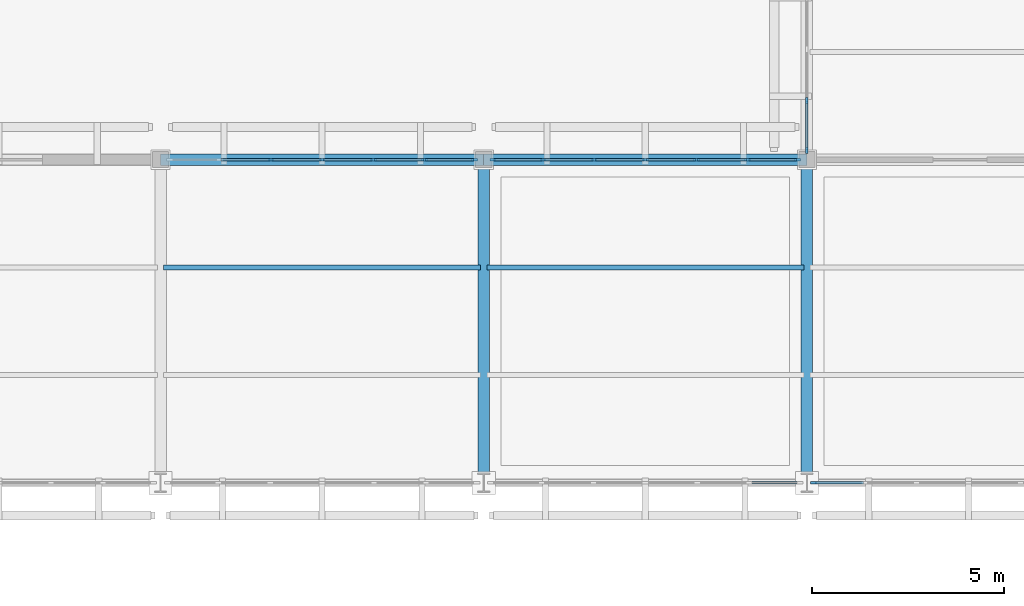
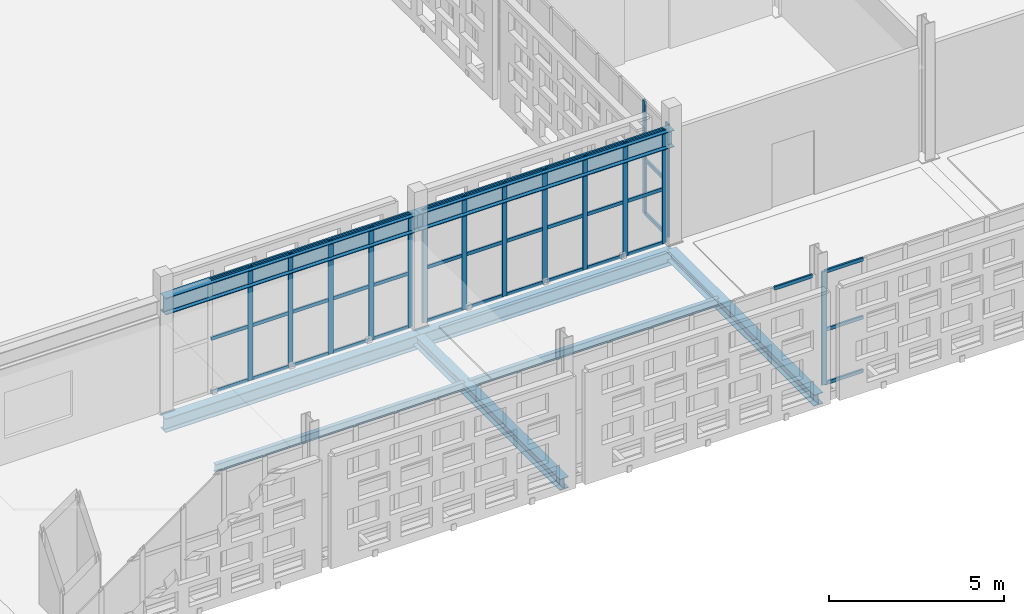
# One storey, part 57 of 203: 54 members, 8 beams, 5 elements without a shape of their own.
"""IFC4 building model written with IfcOpenShell, lengths in metres."""

from ifc_helpers import new_model, si_unit, direction, frame, origin, origin_2d, place, context, subcontext, project, spatial, rectangle, i_section, extrude, material, layer, layer_set, material_profile, profile_set, type_object, element, aggregate, save


model = new_model("IFC4")

# Units and contexts
model_context = context("Model", 3, precision=1e-05, world=origin(), true_north=direction((0.0, 1.0)))
body_context = subcontext(model_context, "Body", "Model", "MODEL_VIEW")
ifc_project = project(units=[si_unit("LENGTHUNIT", "METRE"), si_unit("AREAUNIT", "SQUARE_METRE"), si_unit("VOLUMEUNIT", "CUBIC_METRE"), si_unit("PLANEANGLEUNIT", "RADIAN"), si_unit("MASSUNIT", "GRAM", prefix="KILO")], contexts=[model_context])

# Site, building, storey
site_placement = place(None, origin())
site = spatial("IfcSite", under=ifc_project, at=site_placement, CompositionType="ELEMENT")
building_placement = place(site_placement, origin())
building = spatial("IfcBuilding", under=site, at=building_placement, Name="Varnapada Polytechnic", CompositionType="ELEMENT")
storey_placement = place(building_placement, frame((0.0, 0.0, 4.800048828125)))
storey = spatial("IfcBuildingStorey", under=building, at=storey_placement, Name="L01", CompositionType="ELEMENT", Elevation=4.800048828125)

# Beams
ifc_material_1 = material(Name="Steel S355", Category="steel")
ifc_material_profile_1 = material_profile(ifc_material_1, i_section(OverallWidth=0.135009765625, OverallDepth=0.27001953125, WebThickness=0.006591796875, FlangeThickness=0.01025390625, FilletRadius=0.014892578125, at=origin_2d()), Name="IPE 270")
ifc_profile_set_1 = profile_set([ifc_material_profile_1], Name="Steel S355")
beam_type_1 = type_object("IfcBeamType", Name="Mezzanine heavy steel joist SJ-03 (IPE 270)", PredefinedType="JOIST", material=ifc_profile_set_1)
for number, where, z_axis, x_axis, name in (
    (1, (109.280029296875, 89.60009765625, -0.39501953125), (1.0, 0.0, 0.0), (0.0, 1.0, 0.0), "L01 floor joist 14/11.2"),
    (2, (117.679931640625, 89.60009765625, -0.39501953125), (1.0, 0.0, 0.0), (0.0, 1.0, 0.0), "L01 floor joist 15/11.2"),
):
    element("IfcBeam", number, at=place(storey_placement, frame(where, z_axis=z_axis, x_axis=x_axis)), inside=storey, type_object=beam_type_1, Name=name, PredefinedType="JOIST", context=body_context, shape_type="SweptSolid", body=[
        extrude(i_section(OverallWidth=0.135009765625, OverallDepth=0.27001953125, WebThickness=0.006591796875, FlangeThickness=0.01025390625, FilletRadius=0.014892578125, at=origin_2d()), origin(), (0.0, 0.0, 1.0), 8.239990234375),
    ])

# Curtain wall, members
ifc_material_2 = material(Name="Double low-E laminated glass", Category="glass")
ifc_layer_1 = layer(ifc_material_2, 0.159912109375)
ifc_layer_set_1 = layer_set([ifc_layer_1], Name="Double low-E laminated glass")
curtain_wall_type_1 = type_object("IfcCurtainWallType", Name="Curtain Wall CW-02", PredefinedType="NOTDEFINED", material=ifc_layer_set_1)
curtain_wall_1_placement = place(storey_placement, origin())
curtain_wall_1 = element("IfcCurtainWall", 3, at=curtain_wall_1_placement, inside=storey, type_object=curtain_wall_type_1, Name="L01 unitised curtain wall CW-02 (86)", PredefinedType="NOTDEFINED")
ifc_material_3 = material(Name="Anodised aluminium", Category="aluminium")
ifc_material_profile_2 = material_profile(ifc_material_3, rectangle(XDim=0.06005859375, YDim=0.159912109375, at=origin_2d()), Name="ALU M60x160")
ifc_profile_set_2 = profile_set([ifc_material_profile_2], Name="Anodised aluminium")
member_type_1 = type_object("IfcMemberType", Name="Mullion M-01", PredefinedType="MULLION", material=ifc_profile_set_2)
member_1_placement = place(storey_placement, frame((112.070068359375, 92.39990234375, 0.0), z_axis=(0.0, 0.0, 1.0), x_axis=(0.0, 1.0, 0.0)))
member_1 = element("IfcMember", 4, at=member_1_placement, type_object=member_type_1, Name="CW-02 mullion 3", PredefinedType="MULLION", context=body_context, shape_type="SweptSolid", body=[
    extrude(rectangle(XDim=0.06005859375, YDim=0.159912109375, at=origin_2d()), origin(), (0.0, 0.0, 1.0), 3.9599609375),
])
member_2_placement = place(storey_placement, frame((113.39990234375, 92.39990234375, 0.0), z_axis=(0.0, 0.0, 1.0), x_axis=(0.0, 1.0, 0.0)))
member_2 = element("IfcMember", 5, at=member_2_placement, type_object=member_type_1, Name="CW-02 mullion 4", PredefinedType="MULLION", context=body_context, shape_type="SweptSolid", body=[
    extrude(rectangle(XDim=0.06005859375, YDim=0.159912109375, at=origin_2d()), origin(), (0.0, 0.0, 1.0), 3.9599609375),
])
member_3_placement = place(storey_placement, frame((114.72998046875, 92.39990234375, 0.0), z_axis=(0.0, 0.0, 1.0), x_axis=(0.0, 1.0, 0.0)))
member_3 = element("IfcMember", 6, at=member_3_placement, type_object=member_type_1, Name="CW-02 mullion 5", PredefinedType="MULLION", context=body_context, shape_type="SweptSolid", body=[
    extrude(rectangle(XDim=0.06005859375, YDim=0.159912109375, at=origin_2d()), origin(), (0.0, 0.0, 1.0), 3.9599609375),
])
member_4_placement = place(storey_placement, frame((116.06005859375, 92.39990234375, 0.0), z_axis=(0.0, 0.0, 1.0), x_axis=(0.0, 1.0, 0.0)))
member_4 = element("IfcMember", 7, at=member_4_placement, type_object=member_type_1, Name="CW-02 mullion 6", PredefinedType="MULLION", context=body_context, shape_type="SweptSolid", body=[
    extrude(rectangle(XDim=0.06005859375, YDim=0.159912109375, at=origin_2d()), origin(), (0.0, 0.0, 1.0), 3.9599609375),
])
member_5_placement = place(storey_placement, frame((117.360107421875, 92.39990234375, 0.0), z_axis=(0.0, 0.0, 1.0), x_axis=(0.0, 1.0, 0.0)))
member_5 = element("IfcMember", 8, at=member_5_placement, type_object=member_type_1, Name="CW-02 mullion 7", PredefinedType="MULLION", context=body_context, shape_type="SweptSolid", body=[
    extrude(rectangle(XDim=0.06005859375, YDim=0.159912109375, at=origin_2d()), origin(), (0.0, 0.0, 1.0), 3.9599609375),
])

curtain_wall_2_placement = place(storey_placement, origin())
curtain_wall_2 = element("IfcCurtainWall", 9, at=curtain_wall_2_placement, inside=storey, type_object=curtain_wall_type_1, Name="L01 unitised curtain wall CW-02 (91)", PredefinedType="NOTDEFINED")
member_6_placement = place(storey_placement, frame((117.840087890625, 92.39990234375, 0.0), z_axis=(0.0, 0.0, 1.0), x_axis=(0.0, 1.0, 0.0)))
member_6 = element("IfcMember", 10, at=member_6_placement, type_object=member_type_1, Name="CW-02 mullion 1", PredefinedType="MULLION", context=body_context, shape_type="SweptSolid", body=[
    extrude(rectangle(XDim=0.06005859375, YDim=0.159912109375, at=origin_2d()), origin(), (0.0, 0.0, 1.0), 3.9599609375),
])
member_7_placement = place(storey_placement, frame((119.139892578125, 92.39990234375, 0.0), z_axis=(0.0, 0.0, 1.0), x_axis=(0.0, 1.0, 0.0)))
member_7 = element("IfcMember", 11, at=member_7_placement, type_object=member_type_1, Name="CW-02 mullion 2", PredefinedType="MULLION", context=body_context, shape_type="SweptSolid", body=[
    extrude(rectangle(XDim=0.06005859375, YDim=0.159912109375, at=origin_2d()), origin(), (0.0, 0.0, 1.0), 3.9599609375),
])
member_8_placement = place(storey_placement, frame((120.469970703125, 92.39990234375, 0.0), z_axis=(0.0, 0.0, 1.0), x_axis=(0.0, 1.0, 0.0)))
member_8 = element("IfcMember", 12, at=member_8_placement, type_object=member_type_1, Name="CW-02 mullion 3", PredefinedType="MULLION", context=body_context, shape_type="SweptSolid", body=[
    extrude(rectangle(XDim=0.06005859375, YDim=0.159912109375, at=origin_2d()), origin(), (0.0, 0.0, 1.0), 3.9599609375),
])
member_9_placement = place(storey_placement, frame((121.800048828125, 92.39990234375, 0.0), z_axis=(0.0, 0.0, 1.0), x_axis=(0.0, 1.0, 0.0)))
member_9 = element("IfcMember", 13, at=member_9_placement, type_object=member_type_1, Name="CW-02 mullion 4", PredefinedType="MULLION", context=body_context, shape_type="SweptSolid", body=[
    extrude(rectangle(XDim=0.06005859375, YDim=0.159912109375, at=origin_2d()), origin(), (0.0, 0.0, 1.0), 3.9599609375),
])
member_10_placement = place(storey_placement, frame((123.1298828125, 92.39990234375, 0.0), z_axis=(0.0, 0.0, 1.0), x_axis=(0.0, 1.0, 0.0)))
member_10 = element("IfcMember", 14, at=member_10_placement, type_object=member_type_1, Name="CW-02 mullion 5", PredefinedType="MULLION", context=body_context, shape_type="SweptSolid", body=[
    extrude(rectangle(XDim=0.06005859375, YDim=0.159912109375, at=origin_2d()), origin(), (0.0, 0.0, 1.0), 3.9599609375),
])
member_11_placement = place(storey_placement, frame((124.4599609375, 92.39990234375, 0.0), z_axis=(0.0, 0.0, 1.0), x_axis=(0.0, 1.0, 0.0)))
member_11 = element("IfcMember", 15, at=member_11_placement, type_object=member_type_1, Name="CW-02 mullion 6", PredefinedType="MULLION", context=body_context, shape_type="SweptSolid", body=[
    extrude(rectangle(XDim=0.06005859375, YDim=0.159912109375, at=origin_2d()), origin(), (0.0, 0.0, 1.0), 3.9599609375),
])
member_12_placement = place(storey_placement, frame((125.760009765625, 92.39990234375, 0.0), z_axis=(0.0, 0.0, 1.0), x_axis=(0.0, 1.0, 0.0)))
member_12 = element("IfcMember", 16, at=member_12_placement, type_object=member_type_1, Name="CW-02 mullion 7", PredefinedType="MULLION", context=body_context, shape_type="SweptSolid", body=[
    extrude(rectangle(XDim=0.06005859375, YDim=0.159912109375, at=origin_2d()), origin(), (0.0, 0.0, 1.0), 3.9599609375),
])

# Curtain wall, member
ifc_layer_2 = layer(ifc_material_2, 0.159912109375)
ifc_layer_set_2 = layer_set([ifc_layer_2], Name="Double low-E laminated glass")
curtain_wall_type_2 = type_object("IfcCurtainWallType", Name="Curtain Wall CW-01", PredefinedType="NOTDEFINED", material=ifc_layer_set_2)
curtain_wall_3_placement = place(storey_placement, origin())
curtain_wall_3 = element("IfcCurtainWall", 17, at=curtain_wall_3_placement, inside=storey, type_object=curtain_wall_type_2, Name="L01 unitised curtain wall CW-01 (96)", PredefinedType="NOTDEFINED")
member_13_placement = place(storey_placement, frame((126.179931640625, 84.0, 0.0), z_axis=(0.0, 0.0, 1.0), x_axis=(0.0, -1.0, 0.0)))
member_13 = element("IfcMember", 18, at=member_13_placement, type_object=member_type_1, Name="CW-01 mullion 7", PredefinedType="MULLION", context=body_context, shape_type="SweptSolid", body=[
    extrude(rectangle(XDim=0.06005859375, YDim=0.159912109375, at=origin_2d()), origin(), (0.0, 0.0, 1.0), 3.9599609375),
])

# Curtain wall, members
curtain_wall_4_placement = place(storey_placement, origin())
curtain_wall_4 = element("IfcCurtainWall", 19, at=curtain_wall_4_placement, inside=storey, type_object=curtain_wall_type_1, Name="L01 unitised curtain wall CW-02 (97)", PredefinedType="NOTDEFINED")
member_14_placement = place(storey_placement, frame((126.0, 92.639892578125, 0.0), z_axis=(0.0, 0.0, 1.0), x_axis=(-1.0, 0.0, 0.0)))
member_14 = element("IfcMember", 20, at=member_14_placement, type_object=member_type_1, Name="CW-02 mullion 1", PredefinedType="MULLION", context=body_context, shape_type="SweptSolid", body=[
    extrude(rectangle(XDim=0.06005859375, YDim=0.159912109375, at=origin_2d()), origin(), (0.0, 0.0, 1.0), 3.9599609375),
])
member_15_placement = place(storey_placement, frame((126.0, 93.93994140625, 0.0), z_axis=(0.0, 0.0, 1.0), x_axis=(-1.0, 0.0, 0.0)))
member_15 = element("IfcMember", 21, at=member_15_placement, type_object=member_type_1, Name="CW-02 mullion 2", PredefinedType="MULLION", context=body_context, shape_type="SweptSolid", body=[
    extrude(rectangle(XDim=0.06005859375, YDim=0.159912109375, at=origin_2d()), origin(), (0.0, 0.0, 1.0), 3.9599609375),
])

# Beams
ifc_material_profile_3 = material_profile(ifc_material_1, i_section(OverallWidth=0.300048828125, OverallDepth=0.389892578125, WebThickness=0.010986328125, FlangeThickness=0.01904296875, FilletRadius=0.027099609375, at=origin_2d()), Name="HEA 400")
ifc_profile_set_3 = profile_set([ifc_material_profile_3], Name="Steel S355")
beam_type_2 = type_object("IfcBeamType", Name="Steel roof primary girder SG-01 (HEA 400)", PredefinedType="BEAM", material=ifc_profile_set_3)
for number, where, z_axis, x_axis, name in (
    (22, (117.60009765625, 84.0, -0.465087890625), (0.0, 1.0, 0.0), (-1.0, 0.0, 0.0), "L01 beam Y 11-12 at X15"),
    (23, (126.0, 84.0, -0.465087890625), (0.0, 1.0, 0.0), (-1.0, 0.0, 0.0), "L01 beam Y 11-12 at X16"),
):
    element("IfcBeam", number, at=place(storey_placement, frame(where, z_axis=z_axis, x_axis=x_axis)), inside=storey, type_object=beam_type_2, Name=name, PredefinedType="BEAM", context=body_context, shape_type="SweptSolid", body=[
        extrude(i_section(OverallWidth=0.300048828125, OverallDepth=0.389892578125, WebThickness=0.010986328125, FlangeThickness=0.01904296875, FilletRadius=0.027099609375, at=origin_2d()), origin(), (0.0, 0.0, 1.0), 8.39990234375),
    ])

# Member
ifc_material_profile_4 = material_profile(ifc_material_3, rectangle(XDim=0.06005859375, YDim=0.1201171875, at=origin_2d()), Name="ALU T60x120")
ifc_profile_set_4 = profile_set([ifc_material_profile_4], Name="Anodised aluminium")
member_type_2 = type_object("IfcMemberType", Name="Transom T-01", PredefinedType="USERDEFINED", material=ifc_profile_set_4)
member_16_placement = place(storey_placement, frame((110.77001953125, 92.39990234375, 0.030029296875), z_axis=(1.0, 0.0, 0.0), x_axis=(0.0, 1.0, 0.0)))
member_16 = element("IfcMember", 24, at=member_16_placement, type_object=member_type_2, Name="CW-02 transom 2.1", ObjectType="TRANSOM", PredefinedType="USERDEFINED", context=body_context, shape_type="SweptSolid", body=[
    extrude(rectangle(XDim=0.06005859375, YDim=0.1201171875, at=origin_2d()), origin(), (0.0, 0.0, 1.0), 1.27001953125),
])

member_17_placement = place(storey_placement, frame((110.77001953125, 92.39990234375, 1.900634765625), z_axis=(1.0, 0.0, 0.0), x_axis=(0.0, 1.0, 0.0)))
member_17 = element("IfcMember", 25, at=member_17_placement, type_object=member_type_2, Name="CW-02 transom 2.2", ObjectType="TRANSOM", PredefinedType="USERDEFINED", context=body_context, shape_type="SweptSolid", body=[
    extrude(rectangle(XDim=0.06005859375, YDim=0.1201171875, at=origin_2d()), origin(), (0.0, 0.0, 1.0), 1.27001953125),
])

member_18_placement = place(storey_placement, frame((110.77001953125, 92.39990234375, 3.929931640625), z_axis=(1.0, 0.0, 0.0), x_axis=(0.0, 1.0, 0.0)))
member_18 = element("IfcMember", 26, at=member_18_placement, type_object=member_type_2, Name="CW-02 transom 2.3", ObjectType="TRANSOM", PredefinedType="USERDEFINED", context=body_context, shape_type="SweptSolid", body=[
    extrude(rectangle(XDim=0.06005859375, YDim=0.1201171875, at=origin_2d()), origin(), (0.0, 0.0, 1.0), 1.27001953125),
])

member_19_placement = place(storey_placement, frame((112.10009765625, 92.39990234375, 0.030029296875), z_axis=(1.0, 0.0, 0.0), x_axis=(0.0, 1.0, 0.0)))
member_19 = element("IfcMember", 27, at=member_19_placement, type_object=member_type_2, Name="CW-02 transom 3.1", ObjectType="TRANSOM", PredefinedType="USERDEFINED", context=body_context, shape_type="SweptSolid", body=[
    extrude(rectangle(XDim=0.06005859375, YDim=0.1201171875, at=origin_2d()), origin(), (0.0, 0.0, 1.0), 1.27001953125),
])

member_20_placement = place(storey_placement, frame((112.10009765625, 92.39990234375, 1.900634765625), z_axis=(1.0, 0.0, 0.0), x_axis=(0.0, 1.0, 0.0)))
member_20 = element("IfcMember", 28, at=member_20_placement, type_object=member_type_2, Name="CW-02 transom 3.2", ObjectType="TRANSOM", PredefinedType="USERDEFINED", context=body_context, shape_type="SweptSolid", body=[
    extrude(rectangle(XDim=0.06005859375, YDim=0.1201171875, at=origin_2d()), origin(), (0.0, 0.0, 1.0), 1.27001953125),
])

member_21_placement = place(storey_placement, frame((112.10009765625, 92.39990234375, 3.929931640625), z_axis=(1.0, 0.0, 0.0), x_axis=(0.0, 1.0, 0.0)))
member_21 = element("IfcMember", 29, at=member_21_placement, type_object=member_type_2, Name="CW-02 transom 3.3", ObjectType="TRANSOM", PredefinedType="USERDEFINED", context=body_context, shape_type="SweptSolid", body=[
    extrude(rectangle(XDim=0.06005859375, YDim=0.1201171875, at=origin_2d()), origin(), (0.0, 0.0, 1.0), 1.27001953125),
])

member_22_placement = place(storey_placement, frame((113.429931640625, 92.39990234375, 0.030029296875), z_axis=(1.0, 0.0, 0.0), x_axis=(0.0, 1.0, 0.0)))
member_22 = element("IfcMember", 30, at=member_22_placement, type_object=member_type_2, Name="CW-02 transom 4.1", ObjectType="TRANSOM", PredefinedType="USERDEFINED", context=body_context, shape_type="SweptSolid", body=[
    extrude(rectangle(XDim=0.06005859375, YDim=0.1201171875, at=origin_2d()), origin(), (0.0, 0.0, 1.0), 1.27001953125),
])

member_23_placement = place(storey_placement, frame((113.429931640625, 92.39990234375, 1.900634765625), z_axis=(1.0, 0.0, 0.0), x_axis=(0.0, 1.0, 0.0)))
member_23 = element("IfcMember", 31, at=member_23_placement, type_object=member_type_2, Name="CW-02 transom 4.2", ObjectType="TRANSOM", PredefinedType="USERDEFINED", context=body_context, shape_type="SweptSolid", body=[
    extrude(rectangle(XDim=0.06005859375, YDim=0.1201171875, at=origin_2d()), origin(), (0.0, 0.0, 1.0), 1.27001953125),
])

member_24_placement = place(storey_placement, frame((113.429931640625, 92.39990234375, 3.929931640625), z_axis=(1.0, 0.0, 0.0), x_axis=(0.0, 1.0, 0.0)))
member_24 = element("IfcMember", 32, at=member_24_placement, type_object=member_type_2, Name="CW-02 transom 4.3", ObjectType="TRANSOM", PredefinedType="USERDEFINED", context=body_context, shape_type="SweptSolid", body=[
    extrude(rectangle(XDim=0.06005859375, YDim=0.1201171875, at=origin_2d()), origin(), (0.0, 0.0, 1.0), 1.27001953125),
])

member_25_placement = place(storey_placement, frame((114.760009765625, 92.39990234375, 0.030029296875), z_axis=(1.0, 0.0, 0.0), x_axis=(0.0, 1.0, 0.0)))
member_25 = element("IfcMember", 33, at=member_25_placement, type_object=member_type_2, Name="CW-02 transom 5.1", ObjectType="TRANSOM", PredefinedType="USERDEFINED", context=body_context, shape_type="SweptSolid", body=[
    extrude(rectangle(XDim=0.06005859375, YDim=0.1201171875, at=origin_2d()), origin(), (0.0, 0.0, 1.0), 1.27001953125),
])

member_26_placement = place(storey_placement, frame((114.760009765625, 92.39990234375, 1.900634765625), z_axis=(1.0, 0.0, 0.0), x_axis=(0.0, 1.0, 0.0)))
member_26 = element("IfcMember", 34, at=member_26_placement, type_object=member_type_2, Name="CW-02 transom 5.2", ObjectType="TRANSOM", PredefinedType="USERDEFINED", context=body_context, shape_type="SweptSolid", body=[
    extrude(rectangle(XDim=0.06005859375, YDim=0.1201171875, at=origin_2d()), origin(), (0.0, 0.0, 1.0), 1.27001953125),
])

member_27_placement = place(storey_placement, frame((114.760009765625, 92.39990234375, 3.929931640625), z_axis=(1.0, 0.0, 0.0), x_axis=(0.0, 1.0, 0.0)))
member_27 = element("IfcMember", 35, at=member_27_placement, type_object=member_type_2, Name="CW-02 transom 5.3", ObjectType="TRANSOM", PredefinedType="USERDEFINED", context=body_context, shape_type="SweptSolid", body=[
    extrude(rectangle(XDim=0.06005859375, YDim=0.1201171875, at=origin_2d()), origin(), (0.0, 0.0, 1.0), 1.27001953125),
])

member_28_placement = place(storey_placement, frame((116.090087890625, 92.39990234375, 0.030029296875), z_axis=(1.0, 0.0, 0.0), x_axis=(0.0, 1.0, 0.0)))
member_28 = element("IfcMember", 36, at=member_28_placement, type_object=member_type_2, Name="CW-02 transom 6.1", ObjectType="TRANSOM", PredefinedType="USERDEFINED", context=body_context, shape_type="SweptSolid", body=[
    extrude(rectangle(XDim=0.06005859375, YDim=0.1201171875, at=origin_2d()), origin(), (0.0, 0.0, 1.0), 1.239990234375),
])

member_29_placement = place(storey_placement, frame((116.090087890625, 92.39990234375, 1.900634765625), z_axis=(1.0, 0.0, 0.0), x_axis=(0.0, 1.0, 0.0)))
member_29 = element("IfcMember", 37, at=member_29_placement, type_object=member_type_2, Name="CW-02 transom 6.2", ObjectType="TRANSOM", PredefinedType="USERDEFINED", context=body_context, shape_type="SweptSolid", body=[
    extrude(rectangle(XDim=0.06005859375, YDim=0.1201171875, at=origin_2d()), origin(), (0.0, 0.0, 1.0), 1.239990234375),
])

member_30_placement = place(storey_placement, frame((116.090087890625, 92.39990234375, 3.929931640625), z_axis=(1.0, 0.0, 0.0), x_axis=(0.0, 1.0, 0.0)))
member_30 = element("IfcMember", 38, at=member_30_placement, type_object=member_type_2, Name="CW-02 transom 6.3", ObjectType="TRANSOM", PredefinedType="USERDEFINED", context=body_context, shape_type="SweptSolid", body=[
    extrude(rectangle(XDim=0.06005859375, YDim=0.1201171875, at=origin_2d()), origin(), (0.0, 0.0, 1.0), 1.239990234375),
])

aggregate(curtain_wall_1, [member_1, member_2, member_3, member_4, member_5, member_16, member_17, member_18, member_19, member_20, member_21, member_22, member_23, member_24, member_25, member_26, member_27, member_28, member_29, member_30])

# Curtain wall, member
curtain_wall_5_placement = place(storey_placement, origin())
curtain_wall_5 = element("IfcCurtainWall", 39, at=curtain_wall_5_placement, inside=storey, type_object=curtain_wall_type_2, Name="L01 unitised curtain wall CW-01 (90)", PredefinedType="NOTDEFINED")
member_31_placement = place(storey_placement, frame((125.7900390625, 84.0, 3.929931640625), z_axis=(-1.0, 0.0, 0.0), x_axis=(0.0, -1.0, 0.0)))
member_31 = element("IfcMember", 40, at=member_31_placement, type_object=member_type_2, Name="CW-01 transom 1.3", ObjectType="TRANSOM", PredefinedType="USERDEFINED", context=body_context, shape_type="SweptSolid", body=[
    extrude(rectangle(XDim=0.06005859375, YDim=0.1201171875, at=origin_2d()), origin(), (0.0, 0.0, 1.0), 1.260009765625),
])
aggregate(curtain_wall_5, [member_31])

# Member
member_32_placement = place(storey_placement, frame((117.8701171875, 92.39990234375, 0.030029296875), z_axis=(1.0, 0.0, 0.0), x_axis=(0.0, 1.0, 0.0)))
member_32 = element("IfcMember", 41, at=member_32_placement, type_object=member_type_2, Name="CW-02 transom 1.1", ObjectType="TRANSOM", PredefinedType="USERDEFINED", context=body_context, shape_type="SweptSolid", body=[
    extrude(rectangle(XDim=0.06005859375, YDim=0.1201171875, at=origin_2d()), origin(), (0.0, 0.0, 1.0), 1.239990234375),
])

member_33_placement = place(storey_placement, frame((117.8701171875, 92.39990234375, 1.900634765625), z_axis=(1.0, 0.0, 0.0), x_axis=(0.0, 1.0, 0.0)))
member_33 = element("IfcMember", 42, at=member_33_placement, type_object=member_type_2, Name="CW-02 transom 1.2", ObjectType="TRANSOM", PredefinedType="USERDEFINED", context=body_context, shape_type="SweptSolid", body=[
    extrude(rectangle(XDim=0.06005859375, YDim=0.1201171875, at=origin_2d()), origin(), (0.0, 0.0, 1.0), 1.239990234375),
])

member_34_placement = place(storey_placement, frame((117.8701171875, 92.39990234375, 3.929931640625), z_axis=(1.0, 0.0, 0.0), x_axis=(0.0, 1.0, 0.0)))
member_34 = element("IfcMember", 43, at=member_34_placement, type_object=member_type_2, Name="CW-02 transom 1.3", ObjectType="TRANSOM", PredefinedType="USERDEFINED", context=body_context, shape_type="SweptSolid", body=[
    extrude(rectangle(XDim=0.06005859375, YDim=0.1201171875, at=origin_2d()), origin(), (0.0, 0.0, 1.0), 1.239990234375),
])

member_35_placement = place(storey_placement, frame((119.169921875, 92.39990234375, 0.030029296875), z_axis=(1.0, 0.0, 0.0), x_axis=(0.0, 1.0, 0.0)))
member_35 = element("IfcMember", 44, at=member_35_placement, type_object=member_type_2, Name="CW-02 transom 2.1", ObjectType="TRANSOM", PredefinedType="USERDEFINED", context=body_context, shape_type="SweptSolid", body=[
    extrude(rectangle(XDim=0.06005859375, YDim=0.1201171875, at=origin_2d()), origin(), (0.0, 0.0, 1.0), 1.27001953125),
])

member_36_placement = place(storey_placement, frame((119.169921875, 92.39990234375, 1.900634765625), z_axis=(1.0, 0.0, 0.0), x_axis=(0.0, 1.0, 0.0)))
member_36 = element("IfcMember", 45, at=member_36_placement, type_object=member_type_2, Name="CW-02 transom 2.2", ObjectType="TRANSOM", PredefinedType="USERDEFINED", context=body_context, shape_type="SweptSolid", body=[
    extrude(rectangle(XDim=0.06005859375, YDim=0.1201171875, at=origin_2d()), origin(), (0.0, 0.0, 1.0), 1.27001953125),
])

member_37_placement = place(storey_placement, frame((119.169921875, 92.39990234375, 3.929931640625), z_axis=(1.0, 0.0, 0.0), x_axis=(0.0, 1.0, 0.0)))
member_37 = element("IfcMember", 46, at=member_37_placement, type_object=member_type_2, Name="CW-02 transom 2.3", ObjectType="TRANSOM", PredefinedType="USERDEFINED", context=body_context, shape_type="SweptSolid", body=[
    extrude(rectangle(XDim=0.06005859375, YDim=0.1201171875, at=origin_2d()), origin(), (0.0, 0.0, 1.0), 1.27001953125),
])

member_38_placement = place(storey_placement, frame((120.5, 92.39990234375, 0.030029296875), z_axis=(1.0, 0.0, 0.0), x_axis=(0.0, 1.0, 0.0)))
member_38 = element("IfcMember", 47, at=member_38_placement, type_object=member_type_2, Name="CW-02 transom 3.1", ObjectType="TRANSOM", PredefinedType="USERDEFINED", context=body_context, shape_type="SweptSolid", body=[
    extrude(rectangle(XDim=0.06005859375, YDim=0.1201171875, at=origin_2d()), origin(), (0.0, 0.0, 1.0), 1.27001953125),
])

member_39_placement = place(storey_placement, frame((120.5, 92.39990234375, 1.900634765625), z_axis=(1.0, 0.0, 0.0), x_axis=(0.0, 1.0, 0.0)))
member_39 = element("IfcMember", 48, at=member_39_placement, type_object=member_type_2, Name="CW-02 transom 3.2", ObjectType="TRANSOM", PredefinedType="USERDEFINED", context=body_context, shape_type="SweptSolid", body=[
    extrude(rectangle(XDim=0.06005859375, YDim=0.1201171875, at=origin_2d()), origin(), (0.0, 0.0, 1.0), 1.27001953125),
])

member_40_placement = place(storey_placement, frame((120.5, 92.39990234375, 3.929931640625), z_axis=(1.0, 0.0, 0.0), x_axis=(0.0, 1.0, 0.0)))
member_40 = element("IfcMember", 49, at=member_40_placement, type_object=member_type_2, Name="CW-02 transom 3.3", ObjectType="TRANSOM", PredefinedType="USERDEFINED", context=body_context, shape_type="SweptSolid", body=[
    extrude(rectangle(XDim=0.06005859375, YDim=0.1201171875, at=origin_2d()), origin(), (0.0, 0.0, 1.0), 1.27001953125),
])

member_41_placement = place(storey_placement, frame((121.830078125, 92.39990234375, 0.030029296875), z_axis=(1.0, 0.0, 0.0), x_axis=(0.0, 1.0, 0.0)))
member_41 = element("IfcMember", 50, at=member_41_placement, type_object=member_type_2, Name="CW-02 transom 4.1", ObjectType="TRANSOM", PredefinedType="USERDEFINED", context=body_context, shape_type="SweptSolid", body=[
    extrude(rectangle(XDim=0.06005859375, YDim=0.1201171875, at=origin_2d()), origin(), (0.0, 0.0, 1.0), 1.27001953125),
])

member_42_placement = place(storey_placement, frame((121.830078125, 92.39990234375, 1.900634765625), z_axis=(1.0, 0.0, 0.0), x_axis=(0.0, 1.0, 0.0)))
member_42 = element("IfcMember", 51, at=member_42_placement, type_object=member_type_2, Name="CW-02 transom 4.2", ObjectType="TRANSOM", PredefinedType="USERDEFINED", context=body_context, shape_type="SweptSolid", body=[
    extrude(rectangle(XDim=0.06005859375, YDim=0.1201171875, at=origin_2d()), origin(), (0.0, 0.0, 1.0), 1.27001953125),
])

member_43_placement = place(storey_placement, frame((121.830078125, 92.39990234375, 3.929931640625), z_axis=(1.0, 0.0, 0.0), x_axis=(0.0, 1.0, 0.0)))
member_43 = element("IfcMember", 52, at=member_43_placement, type_object=member_type_2, Name="CW-02 transom 4.3", ObjectType="TRANSOM", PredefinedType="USERDEFINED", context=body_context, shape_type="SweptSolid", body=[
    extrude(rectangle(XDim=0.06005859375, YDim=0.1201171875, at=origin_2d()), origin(), (0.0, 0.0, 1.0), 1.27001953125),
])

member_44_placement = place(storey_placement, frame((123.159912109375, 92.39990234375, 0.030029296875), z_axis=(1.0, 0.0, 0.0), x_axis=(0.0, 1.0, 0.0)))
member_44 = element("IfcMember", 53, at=member_44_placement, type_object=member_type_2, Name="CW-02 transom 5.1", ObjectType="TRANSOM", PredefinedType="USERDEFINED", context=body_context, shape_type="SweptSolid", body=[
    extrude(rectangle(XDim=0.06005859375, YDim=0.1201171875, at=origin_2d()), origin(), (0.0, 0.0, 1.0), 1.27001953125),
])

member_45_placement = place(storey_placement, frame((123.159912109375, 92.39990234375, 1.900634765625), z_axis=(1.0, 0.0, 0.0), x_axis=(0.0, 1.0, 0.0)))
member_45 = element("IfcMember", 54, at=member_45_placement, type_object=member_type_2, Name="CW-02 transom 5.2", ObjectType="TRANSOM", PredefinedType="USERDEFINED", context=body_context, shape_type="SweptSolid", body=[
    extrude(rectangle(XDim=0.06005859375, YDim=0.1201171875, at=origin_2d()), origin(), (0.0, 0.0, 1.0), 1.27001953125),
])

member_46_placement = place(storey_placement, frame((123.159912109375, 92.39990234375, 3.929931640625), z_axis=(1.0, 0.0, 0.0), x_axis=(0.0, 1.0, 0.0)))
member_46 = element("IfcMember", 55, at=member_46_placement, type_object=member_type_2, Name="CW-02 transom 5.3", ObjectType="TRANSOM", PredefinedType="USERDEFINED", context=body_context, shape_type="SweptSolid", body=[
    extrude(rectangle(XDim=0.06005859375, YDim=0.1201171875, at=origin_2d()), origin(), (0.0, 0.0, 1.0), 1.27001953125),
])

member_47_placement = place(storey_placement, frame((124.489990234375, 92.39990234375, 0.030029296875), z_axis=(1.0, 0.0, 0.0), x_axis=(0.0, 1.0, 0.0)))
member_47 = element("IfcMember", 56, at=member_47_placement, type_object=member_type_2, Name="CW-02 transom 6.1", ObjectType="TRANSOM", PredefinedType="USERDEFINED", context=body_context, shape_type="SweptSolid", body=[
    extrude(rectangle(XDim=0.06005859375, YDim=0.1201171875, at=origin_2d()), origin(), (0.0, 0.0, 1.0), 1.239990234375),
])

member_48_placement = place(storey_placement, frame((124.489990234375, 92.39990234375, 1.900634765625), z_axis=(1.0, 0.0, 0.0), x_axis=(0.0, 1.0, 0.0)))
member_48 = element("IfcMember", 57, at=member_48_placement, type_object=member_type_2, Name="CW-02 transom 6.2", ObjectType="TRANSOM", PredefinedType="USERDEFINED", context=body_context, shape_type="SweptSolid", body=[
    extrude(rectangle(XDim=0.06005859375, YDim=0.1201171875, at=origin_2d()), origin(), (0.0, 0.0, 1.0), 1.239990234375),
])

member_49_placement = place(storey_placement, frame((124.489990234375, 92.39990234375, 3.929931640625), z_axis=(1.0, 0.0, 0.0), x_axis=(0.0, 1.0, 0.0)))
member_49 = element("IfcMember", 58, at=member_49_placement, type_object=member_type_2, Name="CW-02 transom 6.3", ObjectType="TRANSOM", PredefinedType="USERDEFINED", context=body_context, shape_type="SweptSolid", body=[
    extrude(rectangle(XDim=0.06005859375, YDim=0.1201171875, at=origin_2d()), origin(), (0.0, 0.0, 1.0), 1.239990234375),
])

aggregate(curtain_wall_2, [member_6, member_7, member_8, member_9, member_10, member_11, member_12, member_32, member_33, member_34, member_35, member_36, member_37, member_38, member_39, member_40, member_41, member_42, member_43, member_44, member_45, member_46, member_47, member_48, member_49])

member_50_placement = place(storey_placement, frame((127.469970703125, 84.0, 0.030029296875), z_axis=(-1.0, 0.0, 0.0), x_axis=(0.0, -1.0, 0.0)))
member_50 = element("IfcMember", 59, at=member_50_placement, type_object=member_type_2, Name="CW-01 transom 6.1", ObjectType="TRANSOM", PredefinedType="USERDEFINED", context=body_context, shape_type="SweptSolid", body=[
    extrude(rectangle(XDim=0.06005859375, YDim=0.1201171875, at=origin_2d()), origin(), (0.0, 0.0, 1.0), 1.260009765625),
])

member_51_placement = place(storey_placement, frame((127.469970703125, 84.0, 1.900634765625), z_axis=(-1.0, 0.0, 0.0), x_axis=(0.0, -1.0, 0.0)))
member_51 = element("IfcMember", 60, at=member_51_placement, type_object=member_type_2, Name="CW-01 transom 6.2", ObjectType="TRANSOM", PredefinedType="USERDEFINED", context=body_context, shape_type="SweptSolid", body=[
    extrude(rectangle(XDim=0.06005859375, YDim=0.1201171875, at=origin_2d()), origin(), (0.0, 0.0, 1.0), 1.260009765625),
])

member_52_placement = place(storey_placement, frame((127.469970703125, 84.0, 3.929931640625), z_axis=(-1.0, 0.0, 0.0), x_axis=(0.0, -1.0, 0.0)))
member_52 = element("IfcMember", 61, at=member_52_placement, type_object=member_type_2, Name="CW-01 transom 6.3", ObjectType="TRANSOM", PredefinedType="USERDEFINED", context=body_context, shape_type="SweptSolid", body=[
    extrude(rectangle(XDim=0.06005859375, YDim=0.1201171875, at=origin_2d()), origin(), (0.0, 0.0, 1.0), 1.260009765625),
])

aggregate(curtain_wall_3, [member_13, member_50, member_51, member_52])

member_53_placement = place(storey_placement, frame((126.0, 92.669921875, 0.030029296875), z_axis=(0.0, 1.0, 0.0), x_axis=(-1.0, 0.0, 0.0)))
member_53 = element("IfcMember", 62, at=member_53_placement, type_object=member_type_2, Name="CW-02 transom 1.1", ObjectType="TRANSOM", PredefinedType="USERDEFINED", context=body_context, shape_type="SweptSolid", body=[
    extrude(rectangle(XDim=0.06005859375, YDim=0.1201171875, at=origin_2d()), origin(), (0.0, 0.0, 1.0), 1.239990234375),
])

member_54_placement = place(storey_placement, frame((126.0, 92.669921875, 1.900634765625), z_axis=(0.0, 1.0, 0.0), x_axis=(-1.0, 0.0, 0.0)))
member_54 = element("IfcMember", 63, at=member_54_placement, type_object=member_type_2, Name="CW-02 transom 1.2", ObjectType="TRANSOM", PredefinedType="USERDEFINED", context=body_context, shape_type="SweptSolid", body=[
    extrude(rectangle(XDim=0.06005859375, YDim=0.1201171875, at=origin_2d()), origin(), (0.0, 0.0, 1.0), 1.239990234375),
])

aggregate(curtain_wall_4, [member_14, member_15, member_53, member_54])

# Beams
ifc_material_profile_5 = material_profile(ifc_material_1, i_section(OverallWidth=0.300048828125, OverallDepth=0.590087890625, WebThickness=0.012939453125, FlangeThickness=0.02490234375, FilletRadius=0.027099609375, at=origin_2d()), Name="HEA 600")
ifc_profile_set_5 = profile_set([ifc_material_profile_5], Name="Steel S355")
beam_type_3 = type_object("IfcBeamType", Name="Workshop bridge crane runway girder CR-01 (HEA 600)", PredefinedType="BEAM", material=ifc_profile_set_5)
beam_1_placement = place(storey_placement, frame((109.199951171875, 92.39990234375, 3.64501953125), z_axis=(1.0, 0.0, 0.0), x_axis=(0.0, 1.0, 0.0)))
element("IfcBeam", 64, at=beam_1_placement, inside=storey, type_object=beam_type_3, Name="Workshop bridge crane runway girder 14-15 line 12", PredefinedType="BEAM", context=body_context, shape_type="SweptSolid", body=[
    extrude(i_section(OverallWidth=0.300048828125, OverallDepth=0.590087890625, WebThickness=0.012939453125, FlangeThickness=0.02490234375, FilletRadius=0.027099609375, at=origin_2d()), origin(), (0.0, 0.0, 1.0), 8.400146484375),
])
beam_2_placement = place(storey_placement, frame((117.60009765625, 92.39990234375, 3.64501953125), z_axis=(1.0, 0.0, 0.0), x_axis=(0.0, 1.0, 0.0)))
element("IfcBeam", 65, at=beam_2_placement, inside=storey, type_object=beam_type_3, Name="Workshop bridge crane runway girder 15-16 line 12", PredefinedType="BEAM", context=body_context, shape_type="SweptSolid", body=[
    extrude(i_section(OverallWidth=0.300048828125, OverallDepth=0.590087890625, WebThickness=0.012939453125, FlangeThickness=0.02490234375, FilletRadius=0.027099609375, at=origin_2d()), origin(), (0.0, 0.0, 1.0), 8.39990234375),
])
ifc_material_profile_6 = material_profile(ifc_material_1, i_section(OverallWidth=0.300048828125, OverallDepth=0.489990234375, WebThickness=0.011962890625, FlangeThickness=0.02294921875, FilletRadius=0.027099609375, at=origin_2d()), Name="HEA 500")
ifc_profile_set_6 = profile_set([ifc_material_profile_6], Name="Steel S355")
beam_type_4 = type_object("IfcBeamType", Name="Workshop gallery edge girder CR-02 (HEA 500)", PredefinedType="BEAM", material=ifc_profile_set_6)
beam_3_placement = place(storey_placement, frame((109.199951171875, 92.39990234375, -0.51513671875), z_axis=(1.0, 0.0, 0.0), x_axis=(0.0, 1.0, 0.0)))
element("IfcBeam", 66, at=beam_3_placement, inside=storey, type_object=beam_type_4, Name="L01 beam X 14-15 at Y12", PredefinedType="BEAM", context=body_context, shape_type="SweptSolid", body=[
    extrude(i_section(OverallWidth=0.300048828125, OverallDepth=0.489990234375, WebThickness=0.011962890625, FlangeThickness=0.02294921875, FilletRadius=0.027099609375, at=origin_2d()), origin(), (0.0, 0.0, 1.0), 8.400146484375),
])
beam_4_placement = place(storey_placement, frame((117.60009765625, 92.39990234375, -0.51513671875), z_axis=(1.0, 0.0, 0.0), x_axis=(0.0, 1.0, 0.0)))
element("IfcBeam", 67, at=beam_4_placement, inside=storey, type_object=beam_type_4, Name="L01 beam X 15-16 at Y12", PredefinedType="BEAM", context=body_context, shape_type="SweptSolid", body=[
    extrude(i_section(OverallWidth=0.300048828125, OverallDepth=0.489990234375, WebThickness=0.011962890625, FlangeThickness=0.02294921875, FilletRadius=0.027099609375, at=origin_2d()), origin(), (0.0, 0.0, 1.0), 8.39990234375),
])

save(model, "model.ifc")
